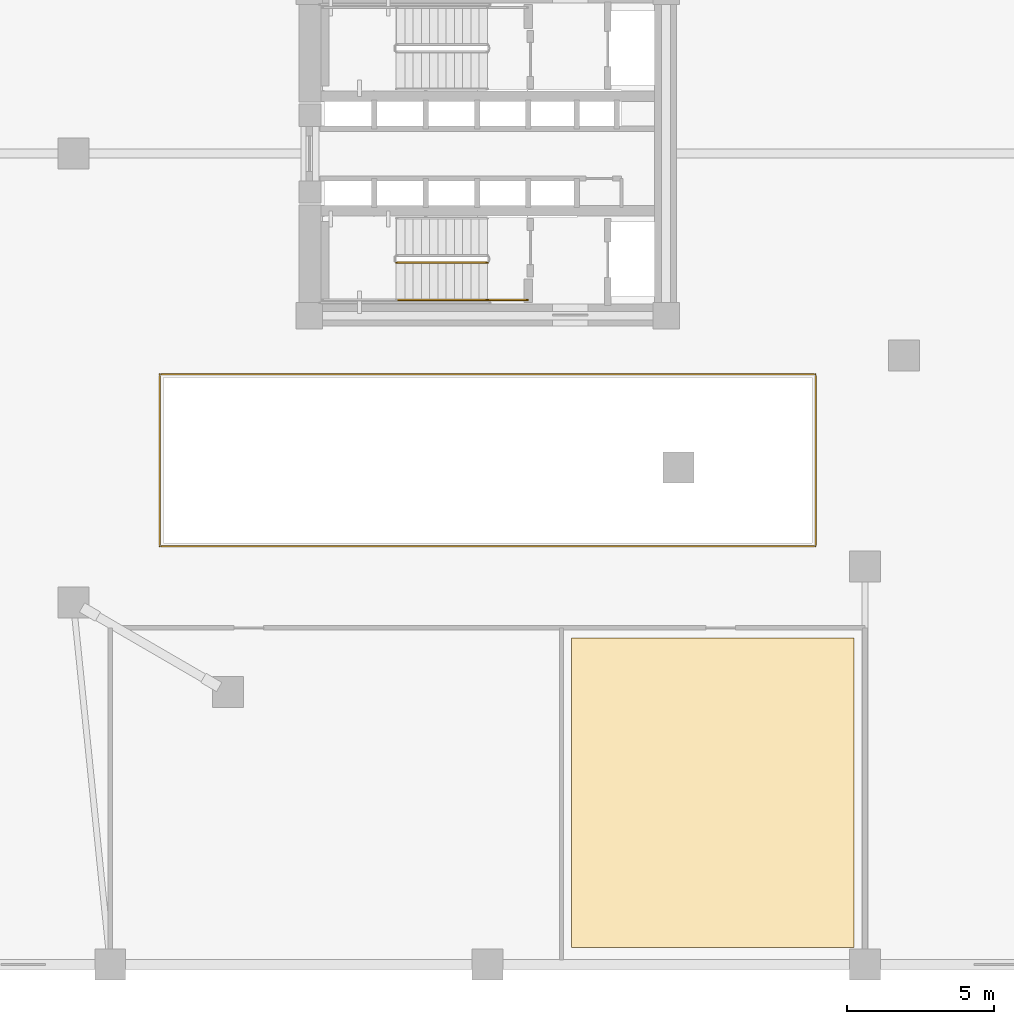
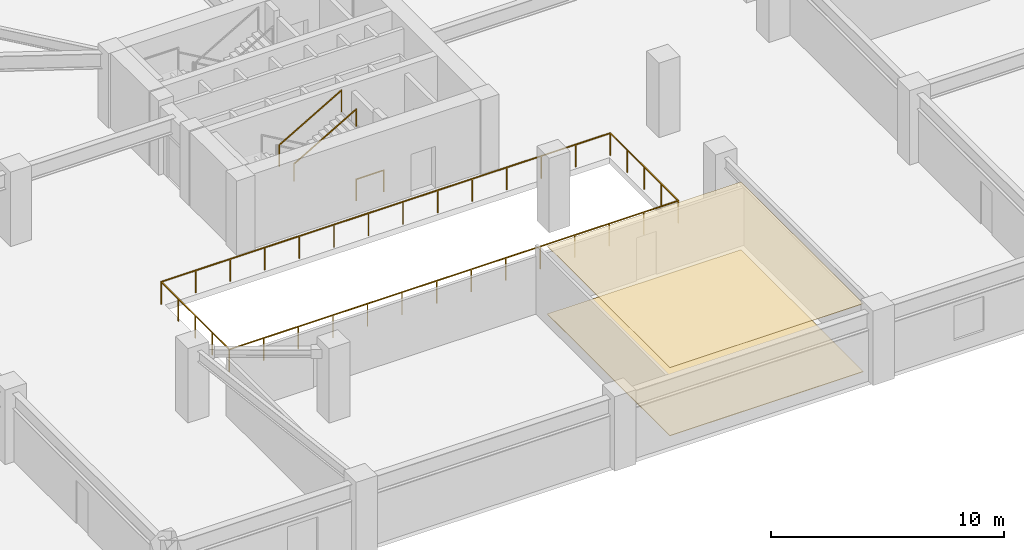
# One storey, part 9 of 15: 4 railings, 2 coverings.
"""IFC4 building model written with IfcOpenShell, lengths in metres."""

import ifcopenshell
import ifcopenshell.guid

model = None  # the IFC model being written
_history = None  # IfcOwnerHistory: only IFC2X3 demands one
_inside = {}  # id of a spatial element -> (the spatial element, [elements in it])
_under = {}  # id of a project, library or spatial element -> (it, [spatial elements below it])
_declared = {}  # id of a project -> (the project, [libraries it declares])
_typed = {}  # id of a type object -> (the type object, [elements of that type])
_made_of = {}  # id of a material, layer set ... -> (it, [elements and type objects made of it])


def new_model(schema):
    """Start an empty IFC model of exactly this schema.

    Asked for "IFC4X3", IfcOpenShell would pick the latest addendum, in which some entities
    have other attributes; the version numbers below select the first issue.
    IFC2X3 requires an IfcOwnerHistory on every rooted entity: one is made here for all.
    """
    global model, _history
    if schema == "IFC4X3":
        model = ifcopenshell.file(schema_version=(4, 3, 0, 0))
    else:
        model = ifcopenshell.file(schema=schema)
    _inside.clear()
    _under.clear()
    _declared.clear()
    _typed.clear()
    _made_of.clear()
    _history = None
    if model.schema == "IFC2X3":
        org = make("IfcOrganization", Name="unknown")
        user = make(
            "IfcPersonAndOrganization",
            ThePerson=make("IfcPerson", FamilyName="unknown"),
            TheOrganization=org,
        )
        app = make(
            "IfcApplication",
            ApplicationDeveloper=org,
            Version="unknown",
            ApplicationFullName="unknown",
            ApplicationIdentifier="unknown",
        )
        _history = make(
            "IfcOwnerHistory",
            OwningUser=user,
            OwningApplication=app,
            ChangeAction="ADDED",
            CreationDate=0,
        )
    return model


def make(cls, **values):
    """One entity of the class cls with the attributes given. An attribute that is None is left unset."""
    return model.create_entity(
        cls, **{name: value for name, value in values.items() if value is not None}
    )


def rooted(cls, **values):
    """An entity with a GlobalId (a new one), such as an element, a storey or a relation."""
    return make(cls, GlobalId=ifcopenshell.guid.new(), OwnerHistory=_history, **values)


def si_unit(unit_type, name, prefix=None):
    """IfcSIUnit, for example si_unit("LENGTHUNIT", "METRE", prefix="MILLI")."""
    return make("IfcSIUnit", UnitType=unit_type, Prefix=prefix, Name=name)


def assignment(units):
    """IfcUnitAssignment: the units of a project."""
    return None if units is None else make("IfcUnitAssignment", Units=units)


def point(xyz):
    """IfcCartesianPoint."""
    return None if xyz is None else make("IfcCartesianPoint", Coordinates=xyz)


def direction(xyz):
    """IfcDirection."""
    return None if xyz is None else make("IfcDirection", DirectionRatios=xyz)


def frame(location, z_axis=None, x_axis=None):
    """IfcAxis2Placement3D, a coordinate frame: its origin and axes. An axis left out is left unset."""
    return make(
        "IfcAxis2Placement3D",
        Location=point(location),
        Axis=direction(z_axis),
        RefDirection=direction(x_axis),
    )


def frame_2d(location, x_axis=None):
    """IfcAxis2Placement2D, a coordinate frame in the plane: its origin and x axis."""
    return make(
        "IfcAxis2Placement2D", Location=point(location), RefDirection=direction(x_axis)
    )


def origin():
    """The frame at (0, 0, 0) with its axes left unset."""
    return frame((0.0, 0.0, 0.0))


def origin_2d():
    """The frame at (0, 0) in the plane with its x axis left unset."""
    return frame_2d((0.0, 0.0))


def place(relative_to, where):
    """IfcLocalPlacement: puts the frame where relative to a parent placement (None: the world)."""
    return make(
        "IfcLocalPlacement", PlacementRelTo=relative_to, RelativePlacement=where
    )


def context(
    kind, dimensions, precision=None, world=None, true_north=None, identifier=None
):
    """IfcGeometricRepresentationContext, for example the 3D "Model" context."""
    return make(
        "IfcGeometricRepresentationContext",
        ContextIdentifier=identifier,
        ContextType=kind,
        CoordinateSpaceDimension=dimensions,
        Precision=precision,
        WorldCoordinateSystem=world,
        TrueNorth=true_north,
    )


def subcontext(parent, identifier, kind, view, scale=None):
    """IfcGeometricRepresentationSubContext, for example "Body" below "Model"."""
    return make(
        "IfcGeometricRepresentationSubContext",
        ContextIdentifier=identifier,
        ContextType=kind,
        ParentContext=parent,
        TargetScale=scale,
        TargetView=view,
    )


def project(units=None, contexts=None):
    """IfcProject with its units and contexts."""
    return rooted(
        "IfcProject",
        Name="project",
        RepresentationContexts=contexts,
        UnitsInContext=assignment(units),
    )


def spatial(cls, under=None, at=None, **own):
    """A site, building, storey or space (cls), placed at a placement, below another one or the project."""
    s = rooted(cls, ObjectPlacement=at, **own)
    if under is not None:
        _under.setdefault(under.id(), (under, []))[1].append(s)
    return s


def polyline(points):
    """IfcPolyline through the points."""
    return make("IfcPolyline", Points=[point(p) for p in points])


def profile(cls, at=None, kind="AREA", **sizes):
    """A parametric profile (cls). Its sizes go by their IFC names, for example OverallWidth=200.0."""
    return make(cls, ProfileType=kind, Position=at, **sizes)


def rectangle(**sizes):
    """IfcRectangleProfileDef."""
    return profile("IfcRectangleProfileDef", **sizes)


def outline(outer, holes=None, kind="AREA"):
    """IfcArbitraryClosedProfileDef: a profile drawn as a closed curve; with holes, ...WithVoids."""
    if holes is None:
        return make("IfcArbitraryClosedProfileDef", ProfileType=kind, OuterCurve=outer)
    return make(
        "IfcArbitraryProfileDefWithVoids",
        ProfileType=kind,
        OuterCurve=outer,
        InnerCurves=holes,
    )


def extrude(swept, where, along, depth):
    """IfcExtrudedAreaSolid: the profile swept, set in the frame where, extruded along a direction by depth."""
    return make(
        "IfcExtrudedAreaSolid",
        SweptArea=swept,
        Position=where,
        ExtrudedDirection=direction(along),
        Depth=depth,
    )


def shape(context_of_items, identifier, shape_type, items):
    """IfcShapeRepresentation: the items that make up one representation, for example the "Body"."""
    return make(
        "IfcShapeRepresentation",
        ContextOfItems=context_of_items,
        RepresentationIdentifier=identifier,
        RepresentationType=shape_type,
        Items=items,
    )


def material(Name=None, Category=None):
    """IfcMaterial."""
    return make("IfcMaterial", Name=Name, Category=Category)


def layer(
    of_material, thickness, ventilated=None, Name=None, Category=None, Priority=None
):
    """IfcMaterialLayer: one layer of a wall or slab, of a material (None: an air gap)."""
    return make(
        "IfcMaterialLayer",
        Material=of_material,
        LayerThickness=thickness,
        IsVentilated=ventilated,
        Name=Name,
        Category=Category,
        Priority=Priority,
    )


def layer_set(layers, Name=None):
    """IfcMaterialLayerSet."""
    return make("IfcMaterialLayerSet", MaterialLayers=layers, LayerSetName=Name)


def made_of(thing, what):
    """Note that an element or type object is made of a material, layer set ...; save() writes the relation."""
    if what is not None:
        _made_of.setdefault(what.id(), (what, []))[1].append(thing)
    return thing


def type_object(cls, material=None, **own):
    """A type object (cls), such as IfcWallType, which elements share."""
    return made_of(rooted(cls, **own), material)


def element(
    cls,
    number,
    at=None,
    inside=None,
    cuts=None,
    type_object=None,
    material=None,
    context=None,
    identifier="Body",
    shape_type=None,
    held_by="IfcProductDefinitionShape",
    body=None,
    shapes=None,
    **own,
):
    """One element of the class cls, such as IfcWall. Its Tag is "e" and its number.

    at: its placement. inside: the storey or other place that contains it. cuts: it is an
    opening in that element (IfcRelVoidsElement). A single representation is given by context,
    identifier, shape_type and body (its items); several are given by shapes. held_by: the class
    of the entity that holds the representations. save() writes the other relations.
    """
    e = rooted(cls, Tag="e%d" % number, ObjectPlacement=at, **own)
    if body is not None:
        shapes = [shape(context, identifier, shape_type, body)]
    if shapes is not None:
        e.Representation = make(held_by, Representations=shapes)
    if inside is not None:
        _inside.setdefault(inside.id(), (inside, []))[1].append(e)
    if cuts is not None:
        rooted(
            "IfcRelVoidsElement", RelatingBuildingElement=cuts, RelatedOpeningElement=e
        )
    if type_object is not None:
        _typed.setdefault(type_object.id(), (type_object, []))[1].append(e)
    return made_of(e, material)


def aggregate(whole, parts):
    """IfcRelAggregates: a whole, such as a stair, and the parts it consists of."""
    return rooted("IfcRelAggregates", RelatingObject=whole, RelatedObjects=parts)


def save(model, path):
    """Write the relations noted so far, then the file.

    IfcRelAggregates (storeys below a building ...), IfcRelContainedInSpatialStructure (elements
    in a storey), IfcRelDefinesByType, IfcRelAssociatesMaterial and IfcRelDeclares: one each for
    every whole, place, type object, material and project.
    """
    for whole, parts in _under.values():
        aggregate(whole, parts)
    for where, things in _inside.values():
        rooted(
            "IfcRelContainedInSpatialStructure",
            RelatedElements=things,
            RelatingStructure=where,
        )
    for kind, things in _typed.values():
        rooted("IfcRelDefinesByType", RelatedObjects=things, RelatingType=kind)
    for what, things in _made_of.values():
        rooted("IfcRelAssociatesMaterial", RelatedObjects=things, RelatingMaterial=what)
    for by, libraries in _declared.values():
        rooted("IfcRelDeclares", RelatingContext=by, RelatedDefinitions=libraries)
    model.write(path)


model = new_model("IFC4")

# Units and contexts
model_context = context("Model", 3, precision=1e-05, world=origin(), true_north=direction((0.0, 1.0)))
body_context = subcontext(model_context, "Body", "Model", "MODEL_VIEW")
ifc_project = project(units=[si_unit("LENGTHUNIT", "METRE"), si_unit("AREAUNIT", "SQUARE_METRE"), si_unit("VOLUMEUNIT", "CUBIC_METRE"), si_unit("PLANEANGLEUNIT", "RADIAN"), si_unit("MASSUNIT", "GRAM", prefix="KILO")], contexts=[model_context])

# Site, building, storey
site_placement = place(None, origin())
site = spatial("IfcSite", under=ifc_project, at=site_placement, CompositionType="ELEMENT")
building_placement = place(site_placement, origin())
building = spatial("IfcBuilding", under=site, at=building_placement, Name="Yunling Apex Tower", CompositionType="ELEMENT")
storey_placement = place(building_placement, frame((0.0, 0.0, 8.39990234375)))
storey = spatial("IfcBuildingStorey", under=building, at=storey_placement, Name="L03", CompositionType="ELEMENT", Elevation=8.39990234375)

# Coverings
ifc_material_1 = material(Name="Acoustic mineral fibre ceiling")
ifc_layer_1 = layer(ifc_material_1, 0.02490234375)
ifc_layer_set_1 = layer_set([ifc_layer_1], Name="Acoustic mineral fibre ceiling")
covering_type_1 = type_object("IfcCoveringType", Name="CV-CLG-1", PredefinedType="CEILING", material=ifc_layer_set_1)
covering_1_placement = place(storey_placement, frame((0.0, 0.0, 3.565185546875)))
element("IfcCovering", 1, at=covering_1_placement, inside=storey, type_object=covering_type_1, Name="CV-CL-SP-L03-S2", PredefinedType="CEILING", context=body_context, shape_type="SweptSolid", body=[
    extrude(outline(polyline([(12.429931640625, -26.929931640625), (2.840087890625, -26.929931640625), (2.840087890625, -16.419921875), (12.429931640625, -16.419921875), (12.429931640625, -26.929931640625)])), origin(), (0.0, 0.0, 1.0), 0.02490234375),
])
ifc_material_2 = material(Name="Polished granite stone", Category="masonry")
ifc_layer_2 = layer(ifc_material_2, 0.030029296875)
ifc_layer_set_2 = layer_set([ifc_layer_2], Name="Polished granite stone")
covering_type_2 = type_object("IfcCoveringType", Name="CV-FLR-1", PredefinedType="FLOORING", material=ifc_layer_set_2)
covering_2_placement = place(storey_placement, origin())
element("IfcCovering", 2, at=covering_2_placement, inside=storey, type_object=covering_type_2, Name="CV-FL-SP-L03-S2", PredefinedType="FLOORING", context=body_context, shape_type="SweptSolid", body=[
    extrude(outline(polyline([(12.429931640625, -26.929931640625), (2.840087890625, -26.929931640625), (2.840087890625, -16.419921875), (12.429931640625, -16.419921875), (12.429931640625, -26.929931640625)])), origin(), (0.0, 0.0, 1.0), 0.030029296875),
])

# Railings
ifc_material_3 = material(Name="Bronze anodised aluminium", Category="aluminium")
railing_type_1 = type_object("IfcRailingType", Name="RL-BAL-1200", PredefinedType="BALUSTRADE", material=ifc_material_3)
railing_1_placement = place(storey_placement, frame((11.1201171875, -13.320068359375, 0.0)))
element("IfcRailing", 3, at=railing_1_placement, inside=storey, type_object=railing_type_1, Name="RL-PATR-L03", PredefinedType="BALUSTRADE", context=body_context, shape_type="SweptSolid", body=[
    extrude(rectangle(XDim=0.0439453125, YDim=0.0439453125, at=origin_2d()), origin(), (0.0, 0.0, 1.0), 1.199951171875),
    extrude(rectangle(XDim=0.0439453125, YDim=0.0439453125, at=origin_2d()), frame((0.0, 5.840087890625, 0.0)), (0.0, 0.0, 1.0), 1.199951171875),
    extrude(rectangle(XDim=0.050048828125, YDim=0.050048828125, at=origin_2d()), frame((0.0, 0.038330078125, 1.1748046875), z_axis=(0.0, 1.0, 0.0), x_axis=(-1.0, 0.0, 0.0)), (0.0, 0.0, 1.0), 5.763427734375),
    extrude(rectangle(XDim=0.0439453125, YDim=0.0439453125, at=origin_2d()), frame((0.0, 1.4599609375, 0.0)), (0.0, 0.0, 1.0), 1.14599609375),
    extrude(rectangle(XDim=0.0439453125, YDim=0.0439453125, at=origin_2d()), frame((0.0, 2.919921875, 0.0)), (0.0, 0.0, 1.0), 1.14599609375),
    extrude(rectangle(XDim=0.0439453125, YDim=0.0439453125, at=origin_2d()), frame((0.0, 4.380126953125, 0.0)), (0.0, 0.0, 1.0), 1.14599609375),
    extrude(rectangle(XDim=0.0439453125, YDim=0.0439453125, at=origin_2d()), frame((-22.240234375, 5.840087890625, 0.0)), (0.0, 0.0, 1.0), 1.199951171875),
    extrude(rectangle(XDim=0.050048828125, YDim=0.050048828125, at=origin_2d()), frame((-0.038330078125, 5.840087890625, 1.1748046875), z_axis=(-1.0, 0.0, 0.0), x_axis=(0.0, -1.0, 0.0)), (0.0, 0.0, 1.0), 22.16357421875),
    extrude(rectangle(XDim=0.0439453125, YDim=0.0439453125, at=origin_2d()), frame((-1.710693359375, 5.840087890625, 0.0)), (0.0, 0.0, 1.0), 1.14599609375),
    extrude(rectangle(XDim=0.0439453125, YDim=0.0439453125, at=origin_2d()), frame((-3.421630859375, 5.840087890625, 0.0)), (0.0, 0.0, 1.0), 1.14599609375),
    extrude(rectangle(XDim=0.0439453125, YDim=0.0439453125, at=origin_2d()), frame((-5.13232421875, 5.840087890625, 0.0)), (0.0, 0.0, 1.0), 1.14599609375),
    extrude(rectangle(XDim=0.0439453125, YDim=0.0439453125, at=origin_2d()), frame((-6.84326171875, 5.840087890625, 0.0)), (0.0, 0.0, 1.0), 1.14599609375),
    extrude(rectangle(XDim=0.0439453125, YDim=0.0439453125, at=origin_2d()), frame((-8.553955078125, 5.840087890625, 0.0)), (0.0, 0.0, 1.0), 1.14599609375),
    extrude(rectangle(XDim=0.0439453125, YDim=0.0439453125, at=origin_2d()), frame((-10.2646484375, 5.840087890625, 0.0)), (0.0, 0.0, 1.0), 1.14599609375),
    extrude(rectangle(XDim=0.0439453125, YDim=0.0439453125, at=origin_2d()), frame((-11.9755859375, 5.840087890625, 0.0)), (0.0, 0.0, 1.0), 1.14599609375),
    extrude(rectangle(XDim=0.0439453125, YDim=0.0439453125, at=origin_2d()), frame((-13.686279296875, 5.840087890625, 0.0)), (0.0, 0.0, 1.0), 1.14599609375),
    extrude(rectangle(XDim=0.0439453125, YDim=0.0439453125, at=origin_2d()), frame((-15.39697265625, 5.840087890625, 0.0)), (0.0, 0.0, 1.0), 1.14599609375),
    extrude(rectangle(XDim=0.0439453125, YDim=0.0439453125, at=origin_2d()), frame((-17.10791015625, 5.840087890625, 0.0)), (0.0, 0.0, 1.0), 1.14599609375),
    extrude(rectangle(XDim=0.0439453125, YDim=0.0439453125, at=origin_2d()), frame((-18.818603515625, 5.840087890625, 0.0)), (0.0, 0.0, 1.0), 1.14599609375),
    extrude(rectangle(XDim=0.0439453125, YDim=0.0439453125, at=origin_2d()), frame((-20.529541015625, 5.840087890625, 0.0)), (0.0, 0.0, 1.0), 1.14599609375),
    extrude(rectangle(XDim=0.0439453125, YDim=0.0439453125, at=origin_2d()), frame((-22.240234375, 0.0, 0.0)), (0.0, 0.0, 1.0), 1.199951171875),
    extrude(rectangle(XDim=0.050048828125, YDim=0.050048828125, at=origin_2d()), frame((-22.240234375, 5.8017578125, 1.1748046875), z_axis=(0.0, -1.0, 0.0), x_axis=(1.0, 0.0, 0.0)), (0.0, 0.0, 1.0), 5.763427734375),
    extrude(rectangle(XDim=0.0439453125, YDim=0.0439453125, at=origin_2d()), frame((-22.240234375, 4.380126953125, 0.0)), (0.0, 0.0, 1.0), 1.14599609375),
    extrude(rectangle(XDim=0.0439453125, YDim=0.0439453125, at=origin_2d()), frame((-22.240234375, 2.919921875, 0.0)), (0.0, 0.0, 1.0), 1.14599609375),
    extrude(rectangle(XDim=0.0439453125, YDim=0.0439453125, at=origin_2d()), frame((-22.240234375, 1.4599609375, 0.0)), (0.0, 0.0, 1.0), 1.14599609375),
    extrude(rectangle(XDim=0.050048828125, YDim=0.050048828125, at=origin_2d()), frame((-22.201904296875, 0.0, 1.1748046875), z_axis=(1.0, 0.0, 0.0), x_axis=(0.0, 1.0, 0.0)), (0.0, 0.0, 1.0), 22.16357421875),
    extrude(rectangle(XDim=0.0439453125, YDim=0.0439453125, at=origin_2d()), frame((-20.529541015625, 0.0, 0.0)), (0.0, 0.0, 1.0), 1.14599609375),
    extrude(rectangle(XDim=0.0439453125, YDim=0.0439453125, at=origin_2d()), frame((-18.818603515625, 0.0, 0.0)), (0.0, 0.0, 1.0), 1.14599609375),
    extrude(rectangle(XDim=0.0439453125, YDim=0.0439453125, at=origin_2d()), frame((-17.10791015625, 0.0, 0.0)), (0.0, 0.0, 1.0), 1.14599609375),
    extrude(rectangle(XDim=0.0439453125, YDim=0.0439453125, at=origin_2d()), frame((-15.39697265625, 0.0, 0.0)), (0.0, 0.0, 1.0), 1.14599609375),
    extrude(rectangle(XDim=0.0439453125, YDim=0.0439453125, at=origin_2d()), frame((-13.686279296875, 0.0, 0.0)), (0.0, 0.0, 1.0), 1.14599609375),
    extrude(rectangle(XDim=0.0439453125, YDim=0.0439453125, at=origin_2d()), frame((-11.9755859375, 0.0, 0.0)), (0.0, 0.0, 1.0), 1.14599609375),
    extrude(rectangle(XDim=0.0439453125, YDim=0.0439453125, at=origin_2d()), frame((-10.2646484375, 0.0, 0.0)), (0.0, 0.0, 1.0), 1.14599609375),
    extrude(rectangle(XDim=0.0439453125, YDim=0.0439453125, at=origin_2d()), frame((-8.553955078125, 0.0, 0.0)), (0.0, 0.0, 1.0), 1.14599609375),
    extrude(rectangle(XDim=0.0439453125, YDim=0.0439453125, at=origin_2d()), frame((-6.84326171875, 0.0, 0.0)), (0.0, 0.0, 1.0), 1.14599609375),
    extrude(rectangle(XDim=0.0439453125, YDim=0.0439453125, at=origin_2d()), frame((-5.13232421875, 0.0, 0.0)), (0.0, 0.0, 1.0), 1.14599609375),
    extrude(rectangle(XDim=0.0439453125, YDim=0.0439453125, at=origin_2d()), frame((-3.421630859375, 0.0, 0.0)), (0.0, 0.0, 1.0), 1.14599609375),
    extrude(rectangle(XDim=0.0439453125, YDim=0.0439453125, at=origin_2d()), frame((-1.710693359375, 0.0, 0.0)), (0.0, 0.0, 1.0), 1.14599609375),
])
ifc_material_4 = material(Name="Steel Q355B", Category="steel")
railing_type_2 = type_object("IfcRailingType", Name="RL-GRD-1150", PredefinedType="GUARDRAIL", material=ifc_material_4)
railing_2_placement = place(storey_placement, frame((-3.090087890625, -3.699951171875, 2.112548828125)))
element("IfcRailing", 4, at=railing_2_placement, inside=storey, type_object=railing_type_2, Name="L03 ST-2 stair guard 4", PredefinedType="GUARDRAIL", context=body_context, shape_type="SweptSolid", body=[
    extrude(rectangle(XDim=0.0439453125, YDim=0.0439453125, at=origin_2d()), origin(), (0.0, 0.0, 1.0), 1.14990234375),
    extrude(rectangle(XDim=0.0439453125, YDim=0.0439453125, at=origin_2d()), frame((3.080078125, 0.0, 1.78759765625)), (0.0, 0.0, 1.0), 1.14990234375),
    extrude(rectangle(XDim=0.050048828125, YDim=0.050048828125, at=origin_2d()), frame((0.033203125, 0.0, 1.14404296875), z_axis=(0.864890721111, 0.0, 0.501960198159), x_axis=(0.0, 1.0, 0.0)), (0.0, 0.0, 1.0), 3.484619140625),
])
railing_3_placement = place(storey_placement, frame((1.35009765625, -4.9599609375, 0.0)))
element("IfcRailing", 5, at=railing_3_placement, inside=storey, type_object=railing_type_2, Name="L03 ST-2 stair guard 6", PredefinedType="GUARDRAIL", context=body_context, shape_type="SweptSolid", body=[
    extrude(rectangle(XDim=0.0439453125, YDim=0.0439453125, at=origin_2d()), origin(), (0.0, 0.0, 1.0), 1.14990234375),
    extrude(rectangle(XDim=0.0439453125, YDim=0.0439453125, at=origin_2d()), frame((-1.360107421875, 0.0, 0.0)), (0.0, 0.0, 1.0), 1.14990234375),
    extrude(rectangle(XDim=0.050048828125, YDim=0.050048828125, at=origin_2d()), frame((-0.038330078125, 0.0, 1.125), z_axis=(-1.0, 0.0, 0.0), x_axis=(0.0, -1.0, 0.0)), (0.0, 0.0, 1.0), 1.283447265625),
])
ifc_material_5 = material(Name="Silver anodised aluminium", Category="aluminium")
railing_type_3 = type_object("IfcRailingType", Name="RL-HND-900", PredefinedType="HANDRAIL", material=ifc_material_5)
railing_4_placement = place(storey_placement, frame((-3.090087890625, -4.9599609375, 2.112548828125)))
element("IfcRailing", 6, at=railing_4_placement, inside=storey, type_object=railing_type_3, Name="L03 ST-2 stair handrail 2", PredefinedType="HANDRAIL", context=body_context, shape_type="SweptSolid", body=[
    extrude(rectangle(XDim=0.0439453125, YDim=0.0439453125, at=origin_2d()), origin(), (0.0, 0.0, 1.0), 0.919921875),
    extrude(rectangle(XDim=0.0439453125, YDim=0.0439453125, at=origin_2d()), frame((3.080078125, 0.0, 1.78759765625)), (0.0, 0.0, 1.0), 0.919921875),
    extrude(rectangle(XDim=0.050048828125, YDim=0.050048828125, at=origin_2d()), frame((0.033203125, 0.0, 0.9140625), z_axis=(0.864890721111, 0.0, 0.501960198159), x_axis=(0.0, 1.0, 0.0)), (0.0, 0.0, 1.0), 3.484619140625),
])

save(model, "model.ifc")
